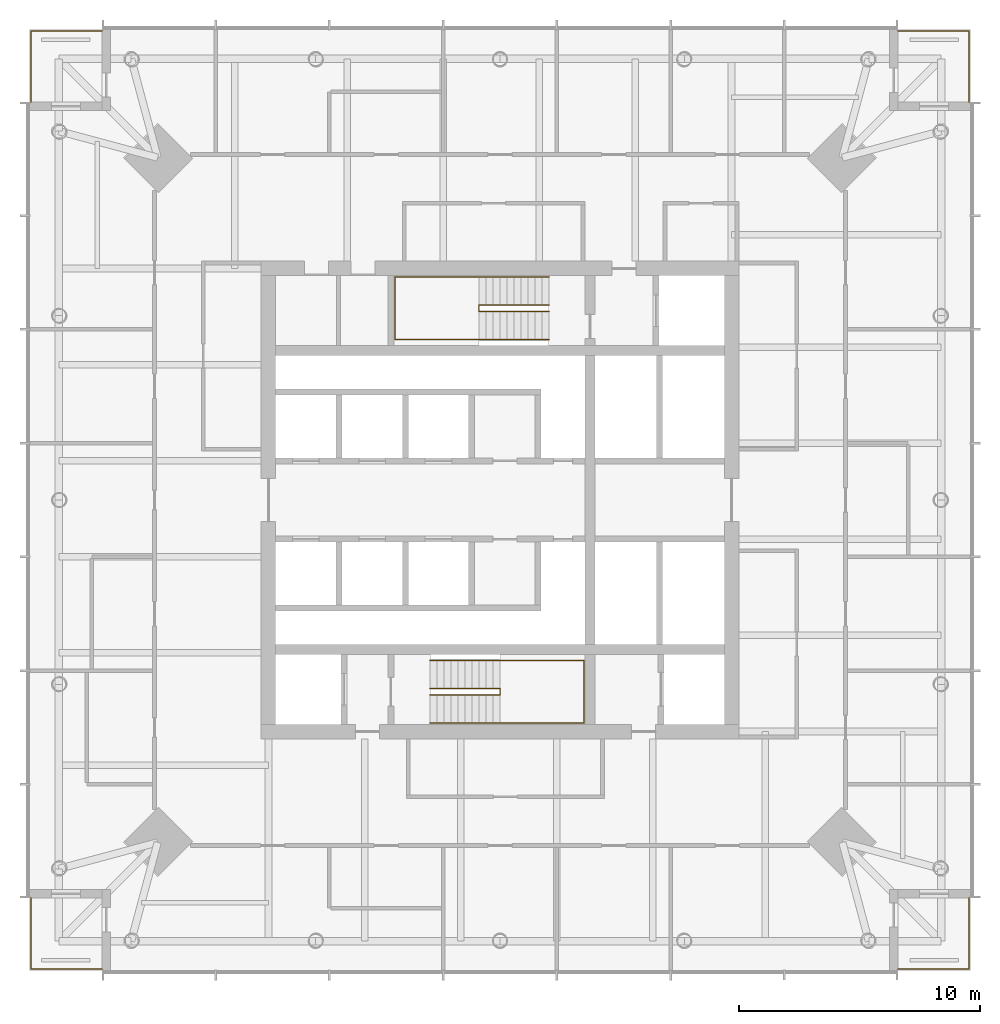
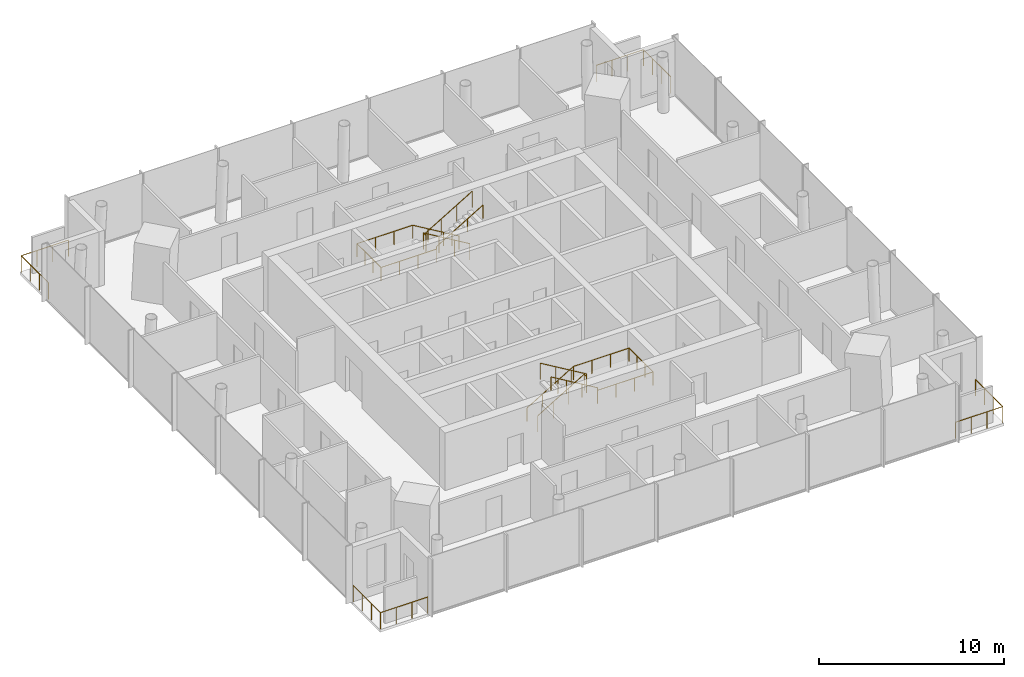
# One storey, part 7 of 7: 8 railings.
"""IFC4 building model written with IfcOpenShell, lengths in metres."""

from ifc_helpers import new_model, si_unit, direction, frame, origin, origin_2d, place, context, subcontext, project, spatial, circle, extrude, material, type_object, element, save


model = new_model("IFC4")

# Units and contexts
model_context = context("Model", 3, precision=1e-05, world=origin(), true_north=direction((0.0, 1.0)))
body_context = subcontext(model_context, "Body", "Model", "MODEL_VIEW")
ifc_project = project(units=[si_unit("LENGTHUNIT", "METRE"), si_unit("AREAUNIT", "SQUARE_METRE"), si_unit("VOLUMEUNIT", "CUBIC_METRE"), si_unit("PLANEANGLEUNIT", "RADIAN"), si_unit("MASSUNIT", "GRAM", prefix="KILO")], contexts=[model_context])

# Site, building, storey
site_placement = place(None, origin())
site = spatial("IfcSite", under=ifc_project, at=site_placement, CompositionType="ELEMENT")
building_placement = place(site_placement, origin())
building = spatial("IfcBuilding", under=site, at=building_placement, Name="Ostroluk Exchange", CompositionType="ELEMENT")
storey_placement = place(building_placement, frame((0.0, 0.0, 199.60009765625)))
storey = spatial("IfcBuildingStorey", under=building, at=storey_placement, Name="L51", CompositionType="ELEMENT", Elevation=199.60009765625)

# Railings
ifc_material_1 = material(Name="Stainless steel", Category="steel")
railing_type_1 = type_object("IfcRailingType", Name="Guard 1100 stainless steel", PredefinedType="GUARDRAIL", material=ifc_material_1)
railing_1_placement = place(storey_placement, frame((61.5, 26.550048828125, 0.0)))
element("IfcRailing", 1, at=railing_1_placement, inside=storey, type_object=railing_type_1, Name="Office tower SE balcony guard L51", PredefinedType="GUARDRAIL", context=body_context, shape_type="SweptSolid", body=[
    extrude(circle(Radius=0.02392578125, at=origin_2d()), frame((0.0, 0.0, 1.076171875), z_axis=(1.0, 0.0, 0.0), x_axis=(0.0, 1.0, 0.0)), (0.0, 0.0, 1.0), 2.949951171875),
    extrude(circle(Radius=0.02392578125, at=origin_2d()), frame((2.949951171875, 0.0, 1.076171875), z_axis=(0.0, 1.0, 0.0), x_axis=(-1.0, 0.0, 0.0)), (0.0, 0.0, 1.0), 2.949951171875),
    extrude(circle(Radius=0.02099609375, at=origin_2d()), origin(), (0.0, 0.0, 1.0), 1.052001953125),
    extrude(circle(Radius=0.02099609375, at=origin_2d()), frame((0.9833984375, 0.0, 0.0)), (0.0, 0.0, 1.0), 1.052001953125),
    extrude(circle(Radius=0.02099609375, at=origin_2d()), frame((1.966552734375, 0.0, 0.0)), (0.0, 0.0, 1.0), 1.052001953125),
    extrude(circle(Radius=0.02099609375, at=origin_2d()), frame((2.949951171875, 0.0, 0.0)), (0.0, 0.0, 1.0), 1.052001953125),
    extrude(circle(Radius=0.02099609375, at=origin_2d()), frame((2.949951171875, 0.9833984375, 0.0)), (0.0, 0.0, 1.0), 1.052001953125),
    extrude(circle(Radius=0.02099609375, at=origin_2d()), frame((2.949951171875, 1.966552734375, 0.0)), (0.0, 0.0, 1.0), 1.052001953125),
    extrude(circle(Radius=0.02099609375, at=origin_2d()), frame((2.949951171875, 2.949951171875, 0.0)), (0.0, 0.0, 1.0), 1.052001953125),
])
railing_2_placement = place(storey_placement, frame((61.5, 65.449951171875, 0.0)))
element("IfcRailing", 2, at=railing_2_placement, inside=storey, type_object=railing_type_1, Name="Office tower NE balcony guard L51", PredefinedType="GUARDRAIL", context=body_context, shape_type="SweptSolid", body=[
    extrude(circle(Radius=0.02392578125, at=origin_2d()), frame((0.0, 0.0, 1.076171875), z_axis=(1.0, 0.0, 0.0), x_axis=(0.0, 1.0, 0.0)), (0.0, 0.0, 1.0), 2.949951171875),
    extrude(circle(Radius=0.02392578125, at=origin_2d()), frame((2.949951171875, 0.0, 1.076171875), z_axis=(0.0, -1.0, 0.0), x_axis=(1.0, 0.0, 0.0)), (0.0, 0.0, 1.0), 2.949951171875),
    extrude(circle(Radius=0.02099609375, at=origin_2d()), origin(), (0.0, 0.0, 1.0), 1.052001953125),
    extrude(circle(Radius=0.02099609375, at=origin_2d()), frame((0.9833984375, 0.0, 0.0)), (0.0, 0.0, 1.0), 1.052001953125),
    extrude(circle(Radius=0.02099609375, at=origin_2d()), frame((1.966552734375, 0.0, 0.0)), (0.0, 0.0, 1.0), 1.052001953125),
    extrude(circle(Radius=0.02099609375, at=origin_2d()), frame((2.949951171875, 0.0, 0.0)), (0.0, 0.0, 1.0), 1.052001953125),
    extrude(circle(Radius=0.02099609375, at=origin_2d()), frame((2.949951171875, -0.9833984375, 0.0)), (0.0, 0.0, 1.0), 1.052001953125),
    extrude(circle(Radius=0.02099609375, at=origin_2d()), frame((2.949951171875, -1.966552734375, 0.0)), (0.0, 0.0, 1.0), 1.052001953125),
    extrude(circle(Radius=0.02099609375, at=origin_2d()), frame((2.949951171875, -2.949951171875, 0.0)), (0.0, 0.0, 1.0), 1.052001953125),
])
railing_3_placement = place(storey_placement, frame((28.5, 65.449951171875, 0.0)))
element("IfcRailing", 3, at=railing_3_placement, inside=storey, type_object=railing_type_1, Name="Office tower NW balcony guard L51", PredefinedType="GUARDRAIL", context=body_context, shape_type="SweptSolid", body=[
    extrude(circle(Radius=0.02392578125, at=origin_2d()), frame((0.0, 0.0, 1.076171875), z_axis=(-1.0, 0.0, 0.0), x_axis=(0.0, -1.0, 0.0)), (0.0, 0.0, 1.0), 2.949951171875),
    extrude(circle(Radius=0.02392578125, at=origin_2d()), frame((-2.949951171875, 0.0, 1.076171875), z_axis=(0.0, -1.0, 0.0), x_axis=(1.0, 0.0, 0.0)), (0.0, 0.0, 1.0), 2.949951171875),
    extrude(circle(Radius=0.02099609375, at=origin_2d()), origin(), (0.0, 0.0, 1.0), 1.052001953125),
    extrude(circle(Radius=0.02099609375, at=origin_2d()), frame((-0.9833984375, 0.0, 0.0)), (0.0, 0.0, 1.0), 1.052001953125),
    extrude(circle(Radius=0.02099609375, at=origin_2d()), frame((-1.966552734375, 0.0, 0.0)), (0.0, 0.0, 1.0), 1.052001953125),
    extrude(circle(Radius=0.02099609375, at=origin_2d()), frame((-2.949951171875, 0.0, 0.0)), (0.0, 0.0, 1.0), 1.052001953125),
    extrude(circle(Radius=0.02099609375, at=origin_2d()), frame((-2.949951171875, -0.9833984375, 0.0)), (0.0, 0.0, 1.0), 1.052001953125),
    extrude(circle(Radius=0.02099609375, at=origin_2d()), frame((-2.949951171875, -1.966552734375, 0.0)), (0.0, 0.0, 1.0), 1.052001953125),
    extrude(circle(Radius=0.02099609375, at=origin_2d()), frame((-2.949951171875, -2.949951171875, 0.0)), (0.0, 0.0, 1.0), 1.052001953125),
])
railing_4_placement = place(storey_placement, frame((28.5, 26.550048828125, 0.0)))
element("IfcRailing", 4, at=railing_4_placement, inside=storey, type_object=railing_type_1, Name="Office tower SW balcony guard L51", PredefinedType="GUARDRAIL", context=body_context, shape_type="SweptSolid", body=[
    extrude(circle(Radius=0.02392578125, at=origin_2d()), frame((0.0, 0.0, 1.076171875), z_axis=(-1.0, 0.0, 0.0), x_axis=(0.0, -1.0, 0.0)), (0.0, 0.0, 1.0), 2.949951171875),
    extrude(circle(Radius=0.02392578125, at=origin_2d()), frame((-2.949951171875, 0.0, 1.076171875), z_axis=(0.0, 1.0, 0.0), x_axis=(-1.0, 0.0, 0.0)), (0.0, 0.0, 1.0), 2.949951171875),
    extrude(circle(Radius=0.02099609375, at=origin_2d()), origin(), (0.0, 0.0, 1.0), 1.052001953125),
    extrude(circle(Radius=0.02099609375, at=origin_2d()), frame((-0.9833984375, 0.0, 0.0)), (0.0, 0.0, 1.0), 1.052001953125),
    extrude(circle(Radius=0.02099609375, at=origin_2d()), frame((-1.966552734375, 0.0, 0.0)), (0.0, 0.0, 1.0), 1.052001953125),
    extrude(circle(Radius=0.02099609375, at=origin_2d()), frame((-2.949951171875, 0.0, 0.0)), (0.0, 0.0, 1.0), 1.052001953125),
    extrude(circle(Radius=0.02099609375, at=origin_2d()), frame((-2.949951171875, 0.9833984375, 0.0)), (0.0, 0.0, 1.0), 1.052001953125),
    extrude(circle(Radius=0.02099609375, at=origin_2d()), frame((-2.949951171875, 1.966552734375, 0.0)), (0.0, 0.0, 1.0), 1.052001953125),
    extrude(circle(Radius=0.02099609375, at=origin_2d()), frame((-2.949951171875, 2.949951171875, 0.0)), (0.0, 0.0, 1.0), 1.052001953125),
])
ifc_material_2 = material(Name="Steel S355", Category="steel")
railing_type_2 = type_object("IfcRailingType", Name="Stair guard 1100", PredefinedType="GUARDRAIL", material=ifc_material_2)
railing_5_placement = place(storey_placement, frame((42.10009765625, 38.179931640625, 0.172607421875)))
element("IfcRailing", 5, at=railing_5_placement, inside=storey, type_object=railing_type_2, Name="Stair T1-S1 guard L51", PredefinedType="GUARDRAIL", context=body_context, shape_type="SweptSolid", body=[
    extrude(circle(Radius=0.02392578125, at=origin_2d()), frame((0.0, 0.0, 1.076171875), z_axis=(0.859141464434, 0.0, 0.511738159696), x_axis=(0.0, 1.0, 0.0)), (0.0, 0.0, 1.0), 3.375244140625),
    extrude(circle(Radius=0.02392578125, at=origin_2d()), frame((2.89990234375, 0.0, 2.80322265625), z_axis=(0.0, -1.0, 0.0), x_axis=(1.0, 0.0, 0.0)), (0.0, 0.0, 1.0), 0.260009765625),
    extrude(circle(Radius=0.02392578125, at=origin_2d()), frame((2.89990234375, -0.260009765625, 2.80322265625), z_axis=(0.0, 0.0, 1.0), x_axis=(1.0, 0.0, 0.0)), (0.0, 0.0, 1.0), 0.172607421875),
    extrude(circle(Radius=0.02392578125, at=origin_2d()), frame((2.89990234375, -0.260009765625, 2.97607421875), z_axis=(-0.859141464434, 0.0, 0.511738159696), x_axis=(0.0, -1.0, 0.0)), (0.0, 0.0, 1.0), 3.375244140625),
    extrude(circle(Radius=0.02099609375, at=origin_2d()), origin(), (0.0, 0.0, 1.0), 1.052001953125),
    extrude(circle(Radius=0.02099609375, at=origin_2d()), frame((0.966552734375, 0.0, 0.57568359375)), (0.0, 0.0, 1.0), 1.052001953125),
    extrude(circle(Radius=0.02099609375, at=origin_2d()), frame((1.933349609375, 0.0, 1.151611328125)), (0.0, 0.0, 1.0), 1.052001953125),
    extrude(circle(Radius=0.02099609375, at=origin_2d()), frame((2.89990234375, 0.0, 1.727294921875)), (0.0, 0.0, 1.0), 1.052001953125),
    extrude(circle(Radius=0.02099609375, at=origin_2d()), frame((2.89990234375, -0.260009765625, 1.727294921875)), (0.0, 0.0, 1.0), 1.052001953125),
    extrude(circle(Radius=0.02099609375, at=origin_2d()), frame((2.89990234375, -0.260009765625, 1.89990234375)), (0.0, 0.0, 1.0), 1.052001953125),
    extrude(circle(Radius=0.02099609375, at=origin_2d()), frame((1.933349609375, -0.260009765625, 2.4755859375)), (0.0, 0.0, 1.0), 1.052001953125),
    extrude(circle(Radius=0.02099609375, at=origin_2d()), frame((0.966552734375, -0.260009765625, 3.051513671875)), (0.0, 0.0, 1.0), 1.052001953125),
    extrude(circle(Radius=0.02099609375, at=origin_2d()), frame((0.0, -0.260009765625, 3.627197265625)), (0.0, 0.0, 1.0), 1.052001953125),
])
railing_6_placement = place(storey_placement, frame((47.030029296875, 54.080078125, 0.172607421875)))
element("IfcRailing", 6, at=railing_6_placement, inside=storey, type_object=railing_type_2, Name="Stair T1-S2 guard L51", PredefinedType="GUARDRAIL", context=body_context, shape_type="SweptSolid", body=[
    extrude(circle(Radius=0.02392578125, at=origin_2d()), frame((0.0, 0.0, 1.076171875), z_axis=(-0.859160404282, 0.0, 0.51170636083), x_axis=(0.0, -1.0, 0.0)), (0.0, 0.0, 1.0), 3.37548828125),
    extrude(circle(Radius=0.02392578125, at=origin_2d()), frame((-2.900146484375, 0.0, 2.80322265625), z_axis=(0.0, -1.0, 0.0), x_axis=(1.0, 0.0, 0.0)), (0.0, 0.0, 1.0), 0.260009765625),
    extrude(circle(Radius=0.02392578125, at=origin_2d()), frame((-2.900146484375, -0.260009765625, 2.80322265625), z_axis=(0.0, 0.0, 1.0), x_axis=(1.0, 0.0, 0.0)), (0.0, 0.0, 1.0), 0.172607421875),
    extrude(circle(Radius=0.02392578125, at=origin_2d()), frame((-2.900146484375, -0.260009765625, 2.97607421875), z_axis=(0.859160404282, 0.0, 0.51170636083), x_axis=(0.0, 1.0, 0.0)), (0.0, 0.0, 1.0), 3.37548828125),
    extrude(circle(Radius=0.02099609375, at=origin_2d()), origin(), (0.0, 0.0, 1.0), 1.052001953125),
    extrude(circle(Radius=0.02099609375, at=origin_2d()), frame((-0.966796875, 0.0, 0.57568359375)), (0.0, 0.0, 1.0), 1.052001953125),
    extrude(circle(Radius=0.02099609375, at=origin_2d()), frame((-1.933349609375, 0.0, 1.151611328125)), (0.0, 0.0, 1.0), 1.052001953125),
    extrude(circle(Radius=0.02099609375, at=origin_2d()), frame((-2.900146484375, 0.0, 1.727294921875)), (0.0, 0.0, 1.0), 1.052001953125),
    extrude(circle(Radius=0.02099609375, at=origin_2d()), frame((-2.900146484375, -0.260009765625, 1.727294921875)), (0.0, 0.0, 1.0), 1.052001953125),
    extrude(circle(Radius=0.02099609375, at=origin_2d()), frame((-2.900146484375, -0.260009765625, 1.89990234375)), (0.0, 0.0, 1.0), 1.052001953125),
    extrude(circle(Radius=0.02099609375, at=origin_2d()), frame((-1.933349609375, -0.260009765625, 2.4755859375)), (0.0, 0.0, 1.0), 1.052001953125),
    extrude(circle(Radius=0.02099609375, at=origin_2d()), frame((-0.966796875, -0.260009765625, 3.051513671875)), (0.0, 0.0, 1.0), 1.052001953125),
    extrude(circle(Radius=0.02099609375, at=origin_2d()), frame((0.0, -0.260009765625, 3.627197265625)), (0.0, 0.0, 1.0), 1.052001953125),
])
ifc_material_3 = material(Name="Stainless steel", Category="steel")
railing_type_3 = type_object("IfcRailingType", Name="Stair handrail 900", PredefinedType="HANDRAIL", material=ifc_material_3)
railing_7_placement = place(storey_placement, frame((42.10009765625, 39.35009765625, 0.172607421875)))
element("IfcRailing", 7, at=railing_7_placement, inside=storey, type_object=railing_type_3, Name="Stair T1-S1 handrail L51", PredefinedType="HANDRAIL", context=body_context, shape_type="SweptSolid", body=[
    extrude(circle(Radius=0.02392578125, at=origin_2d()), frame((0.0, 0.0, 0.8759765625), z_axis=(0.859141464434, 0.0, 0.511738159696), x_axis=(0.0, 1.0, 0.0)), (0.0, 0.0, 1.0), 3.375244140625),
    extrude(circle(Radius=0.02392578125, at=origin_2d()), frame((2.89990234375, 0.0, 2.60302734375), z_axis=(1.0, 0.0, 0.0), x_axis=(0.0, 1.0, 0.0)), (0.0, 0.0, 1.0), 3.47998046875),
    extrude(circle(Radius=0.02392578125, at=origin_2d()), frame((6.3798828125, 0.0, 2.60302734375), z_axis=(0.0, -1.0, 0.0), x_axis=(1.0, 0.0, 0.0)), (0.0, 0.0, 1.0), 2.60009765625),
    extrude(circle(Radius=0.02392578125, at=origin_2d()), frame((6.3798828125, -2.60009765625, 2.60302734375), z_axis=(-1.0, 0.0, 0.0), x_axis=(0.0, -1.0, 0.0)), (0.0, 0.0, 1.0), 3.47998046875),
    extrude(circle(Radius=0.02392578125, at=origin_2d()), frame((2.89990234375, -2.60009765625, 2.60302734375), z_axis=(0.0, 0.0, 1.0), x_axis=(1.0, 0.0, 0.0)), (0.0, 0.0, 1.0), 0.172607421875),
    extrude(circle(Radius=0.02392578125, at=origin_2d()), frame((2.89990234375, -2.60009765625, 2.77587890625), z_axis=(-0.859141464434, 0.0, 0.511738159696), x_axis=(0.0, -1.0, 0.0)), (0.0, 0.0, 1.0), 3.375244140625),
    extrude(circle(Radius=0.02099609375, at=origin_2d()), origin(), (0.0, 0.0, 1.0), 0.851806640625),
    extrude(circle(Radius=0.02099609375, at=origin_2d()), frame((0.966552734375, 0.0, 0.57568359375)), (0.0, 0.0, 1.0), 0.851806640625),
    extrude(circle(Radius=0.02099609375, at=origin_2d()), frame((1.933349609375, 0.0, 1.151611328125)), (0.0, 0.0, 1.0), 0.851806640625),
    extrude(circle(Radius=0.02099609375, at=origin_2d()), frame((2.89990234375, 0.0, 1.727294921875)), (0.0, 0.0, 1.0), 0.851806640625),
    extrude(circle(Radius=0.02099609375, at=origin_2d()), frame((4.059814453125, 0.0, 1.727294921875)), (0.0, 0.0, 1.0), 0.851806640625),
    extrude(circle(Radius=0.02099609375, at=origin_2d()), frame((5.219970703125, 0.0, 1.727294921875)), (0.0, 0.0, 1.0), 0.851806640625),
    extrude(circle(Radius=0.02099609375, at=origin_2d()), frame((6.3798828125, 0.0, 1.727294921875)), (0.0, 0.0, 1.0), 0.851806640625),
    extrude(circle(Radius=0.02099609375, at=origin_2d()), frame((6.3798828125, -0.86669921875, 1.727294921875)), (0.0, 0.0, 1.0), 0.851806640625),
    extrude(circle(Radius=0.02099609375, at=origin_2d()), frame((6.3798828125, -1.7333984375, 1.727294921875)), (0.0, 0.0, 1.0), 0.851806640625),
    extrude(circle(Radius=0.02099609375, at=origin_2d()), frame((6.3798828125, -2.60009765625, 1.727294921875)), (0.0, 0.0, 1.0), 0.851806640625),
    extrude(circle(Radius=0.02099609375, at=origin_2d()), frame((5.219970703125, -2.60009765625, 1.727294921875)), (0.0, 0.0, 1.0), 0.851806640625),
    extrude(circle(Radius=0.02099609375, at=origin_2d()), frame((4.059814453125, -2.60009765625, 1.727294921875)), (0.0, 0.0, 1.0), 0.851806640625),
    extrude(circle(Radius=0.02099609375, at=origin_2d()), frame((2.89990234375, -2.60009765625, 1.727294921875)), (0.0, 0.0, 1.0), 0.851806640625),
    extrude(circle(Radius=0.02099609375, at=origin_2d()), frame((2.89990234375, -2.60009765625, 1.89990234375)), (0.0, 0.0, 1.0), 0.851806640625),
    extrude(circle(Radius=0.02099609375, at=origin_2d()), frame((1.933349609375, -2.60009765625, 2.4755859375)), (0.0, 0.0, 1.0), 0.851806640625),
    extrude(circle(Radius=0.02099609375, at=origin_2d()), frame((0.966552734375, -2.60009765625, 3.051513671875)), (0.0, 0.0, 1.0), 0.851806640625),
    extrude(circle(Radius=0.02099609375, at=origin_2d()), frame((0.0, -2.60009765625, 3.627197265625)), (0.0, 0.0, 1.0), 0.851806640625),
])
railing_8_placement = place(storey_placement, frame((47.030029296875, 55.25, 0.172607421875)))
element("IfcRailing", 8, at=railing_8_placement, inside=storey, type_object=railing_type_3, Name="Stair T1-S2 handrail L51", PredefinedType="HANDRAIL", context=body_context, shape_type="SweptSolid", body=[
    extrude(circle(Radius=0.02392578125, at=origin_2d()), frame((0.0, 0.0, 0.8759765625), z_axis=(-0.859160404282, 0.0, 0.51170636083), x_axis=(0.0, -1.0, 0.0)), (0.0, 0.0, 1.0), 3.37548828125),
    extrude(circle(Radius=0.02392578125, at=origin_2d()), frame((-2.900146484375, 0.0, 2.60302734375), z_axis=(-1.0, 0.0, 0.0), x_axis=(0.0, -1.0, 0.0)), (0.0, 0.0, 1.0), 3.47998046875),
    extrude(circle(Radius=0.02392578125, at=origin_2d()), frame((-6.380126953125, 0.0, 2.60302734375), z_axis=(0.0, -1.0, 0.0), x_axis=(1.0, 0.0, 0.0)), (0.0, 0.0, 1.0), 2.60009765625),
    extrude(circle(Radius=0.02392578125, at=origin_2d()), frame((-6.380126953125, -2.60009765625, 2.60302734375), z_axis=(1.0, 0.0, 0.0), x_axis=(0.0, 1.0, 0.0)), (0.0, 0.0, 1.0), 3.47998046875),
    extrude(circle(Radius=0.02392578125, at=origin_2d()), frame((-2.900146484375, -2.60009765625, 2.60302734375), z_axis=(0.0, 0.0, 1.0), x_axis=(1.0, 0.0, 0.0)), (0.0, 0.0, 1.0), 0.172607421875),
    extrude(circle(Radius=0.02392578125, at=origin_2d()), frame((-2.900146484375, -2.60009765625, 2.77587890625), z_axis=(0.859160404282, 0.0, 0.51170636083), x_axis=(0.0, 1.0, 0.0)), (0.0, 0.0, 1.0), 3.37548828125),
    extrude(circle(Radius=0.02099609375, at=origin_2d()), origin(), (0.0, 0.0, 1.0), 0.851806640625),
    extrude(circle(Radius=0.02099609375, at=origin_2d()), frame((-0.966796875, 0.0, 0.57568359375)), (0.0, 0.0, 1.0), 0.851806640625),
    extrude(circle(Radius=0.02099609375, at=origin_2d()), frame((-1.933349609375, 0.0, 1.151611328125)), (0.0, 0.0, 1.0), 0.851806640625),
    extrude(circle(Radius=0.02099609375, at=origin_2d()), frame((-2.900146484375, 0.0, 1.727294921875)), (0.0, 0.0, 1.0), 0.851806640625),
    extrude(circle(Radius=0.02099609375, at=origin_2d()), frame((-4.06005859375, 0.0, 1.727294921875)), (0.0, 0.0, 1.0), 0.851806640625),
    extrude(circle(Radius=0.02099609375, at=origin_2d()), frame((-5.22021484375, 0.0, 1.727294921875)), (0.0, 0.0, 1.0), 0.851806640625),
    extrude(circle(Radius=0.02099609375, at=origin_2d()), frame((-6.380126953125, 0.0, 1.727294921875)), (0.0, 0.0, 1.0), 0.851806640625),
    extrude(circle(Radius=0.02099609375, at=origin_2d()), frame((-6.380126953125, -0.86669921875, 1.727294921875)), (0.0, 0.0, 1.0), 0.851806640625),
    extrude(circle(Radius=0.02099609375, at=origin_2d()), frame((-6.380126953125, -1.7333984375, 1.727294921875)), (0.0, 0.0, 1.0), 0.851806640625),
    extrude(circle(Radius=0.02099609375, at=origin_2d()), frame((-6.380126953125, -2.60009765625, 1.727294921875)), (0.0, 0.0, 1.0), 0.851806640625),
    extrude(circle(Radius=0.02099609375, at=origin_2d()), frame((-5.22021484375, -2.60009765625, 1.727294921875)), (0.0, 0.0, 1.0), 0.851806640625),
    extrude(circle(Radius=0.02099609375, at=origin_2d()), frame((-4.06005859375, -2.60009765625, 1.727294921875)), (0.0, 0.0, 1.0), 0.851806640625),
    extrude(circle(Radius=0.02099609375, at=origin_2d()), frame((-2.900146484375, -2.60009765625, 1.727294921875)), (0.0, 0.0, 1.0), 0.851806640625),
    extrude(circle(Radius=0.02099609375, at=origin_2d()), frame((-2.900146484375, -2.60009765625, 1.89990234375)), (0.0, 0.0, 1.0), 0.851806640625),
    extrude(circle(Radius=0.02099609375, at=origin_2d()), frame((-1.933349609375, -2.60009765625, 2.4755859375)), (0.0, 0.0, 1.0), 0.851806640625),
    extrude(circle(Radius=0.02099609375, at=origin_2d()), frame((-0.966796875, -2.60009765625, 3.051513671875)), (0.0, 0.0, 1.0), 0.851806640625),
    extrude(circle(Radius=0.02099609375, at=origin_2d()), frame((0.0, -2.60009765625, 3.627197265625)), (0.0, 0.0, 1.0), 0.851806640625),
])

save(model, "model.ifc")
